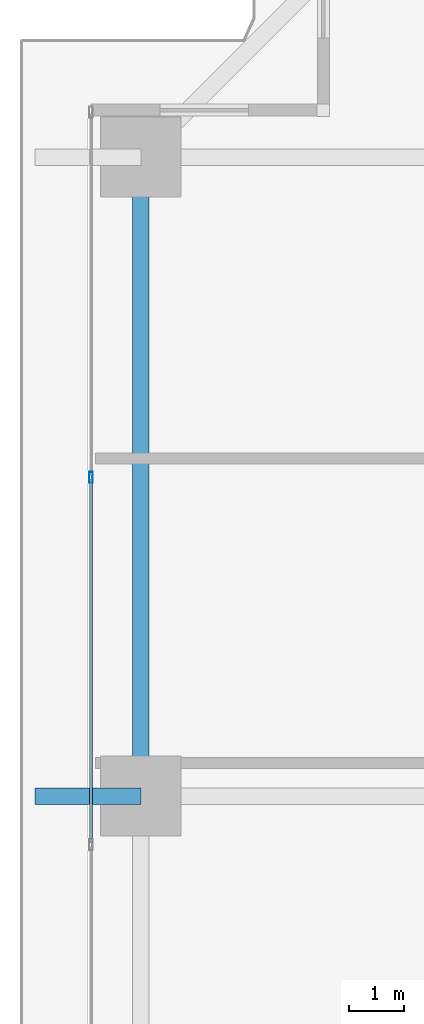
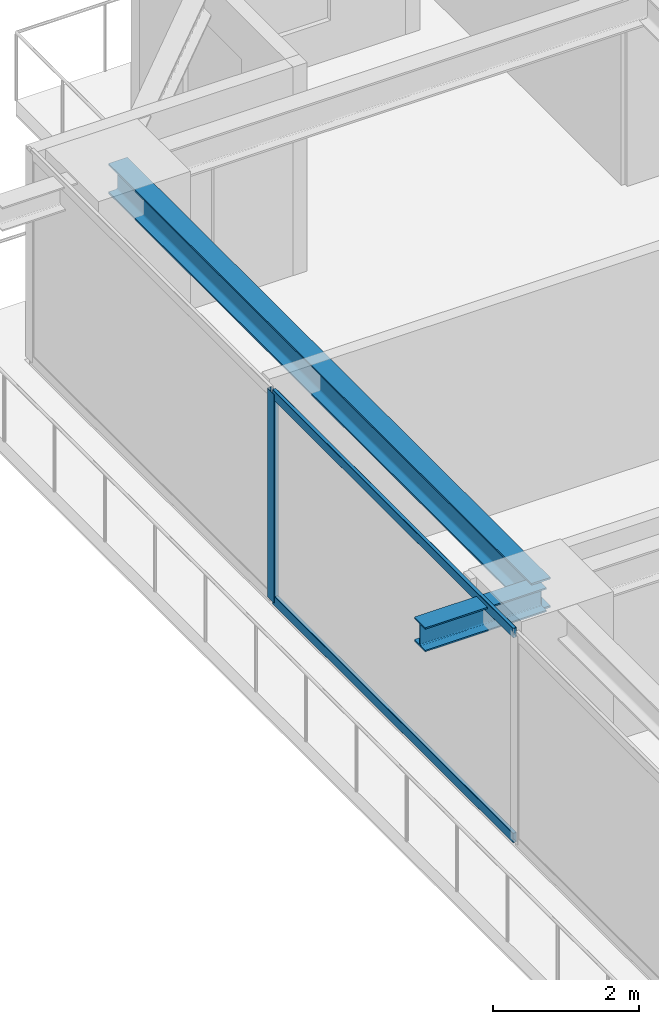
# One storey, part 16 of 39: 3 members, 2 beams, 1 element without a shape of its own.
"""IFC4 building model written with IfcOpenShell, lengths in metres."""

from ifc_helpers import new_model, si_unit, direction, frame, origin, origin_2d, place, context, subcontext, project, spatial, hollow_rectangle, i_section, extrude, source, transform, mapped, material, layer, layer_set, material_profile, profile_set, type_object, element, aggregate, save


model = new_model("IFC4")

# Units and contexts
model_context = context("Model", 3, precision=1e-05, world=origin(), true_north=direction((0.0, 1.0)))
body_context = subcontext(model_context, "Body", "Model", "MODEL_VIEW")
ifc_project = project(units=[si_unit("LENGTHUNIT", "METRE"), si_unit("AREAUNIT", "SQUARE_METRE"), si_unit("VOLUMEUNIT", "CUBIC_METRE"), si_unit("PLANEANGLEUNIT", "RADIAN"), si_unit("MASSUNIT", "GRAM", prefix="KILO")], contexts=[model_context])

# Site, building, storey
site_placement = place(None, origin())
site = spatial("IfcSite", under=ifc_project, at=site_placement, CompositionType="ELEMENT")
building_placement = place(site_placement, origin())
building = spatial("IfcBuilding", under=site, at=building_placement, Name="Serunith Strait Residences", CompositionType="ELEMENT")
storey_placement = place(building_placement, frame((0.0, 0.0, 79.199951171875)))
storey = spatial("IfcBuildingStorey", under=building, at=storey_placement, Name="L19", CompositionType="ELEMENT", Elevation=79.199951171875)

# Beams
ifc_material_1 = material(Name="Steel S355J2", Category="steel")
ifc_material_profile_1 = material_profile(ifc_material_1, i_section(OverallWidth=0.300048828125, OverallDepth=0.5, WebThickness=0.014404296875, FlangeThickness=0.028076171875, FilletRadius=0.027099609375, at=origin_2d()), Name="HEB 500")
ifc_profile_set_1 = profile_set([ifc_material_profile_1], Name="Steel S355J2")
beam_type_1 = type_object("IfcBeamType", Name="BM-HEB500", PredefinedType="BEAM", material=ifc_profile_set_1)
shared_shape_1 = source(origin(), body_context, "Body", "SweptSolid", [
    extrude(i_section(OverallWidth=0.300048828125, OverallDepth=0.5, WebThickness=0.014404296875, FlangeThickness=0.028076171875, FilletRadius=0.027099609375, at=origin_2d()), origin(), (0.0, 0.0, 1.0), 11.550048828125),
])
beam_1_placement = place(storey_placement, frame((6.89990234375, 40.949951171875, 3.237060546875), z_axis=(0.0, -1.0, 0.0), x_axis=(1.0, 0.0, 0.0)))
element("IfcBeam", 1, at=beam_1_placement, inside=storey, type_object=beam_type_1, Name="L19 Perimeter Ring Beam 13", PredefinedType="BEAM", context=body_context, shape_type="MappedRepresentation", body=[
    mapped(shared_shape_1, transform((0.0, 0.0, 0.0), scale=1.0)),
])
ifc_material_profile_2 = material_profile(ifc_material_1, i_section(OverallWidth=0.300048828125, OverallDepth=0.39990234375, WebThickness=0.013427734375, FlangeThickness=0.02392578125, FilletRadius=0.027099609375, at=origin_2d()), Name="HEB 400")
ifc_profile_set_2 = profile_set([ifc_material_profile_2], Name="Steel S355J2")
beam_type_2 = type_object("IfcBeamType", Name="BM-HEB400", PredefinedType="BEAM", material=ifc_profile_set_2)
shared_shape_2 = source(origin(), body_context, "Body", "SweptSolid", [
    extrude(i_section(OverallWidth=0.300048828125, OverallDepth=0.39990234375, WebThickness=0.013427734375, FlangeThickness=0.02392578125, FilletRadius=0.027099609375, at=origin_2d()), origin(), (0.0, 0.0, 1.0), 1.909912109375),
])
beam_2_placement = place(storey_placement, frame((6.89990234375, 29.39990234375, 3.257080078125), z_axis=(-1.0, 0.0, 0.0), x_axis=(0.0, -1.0, 0.0)))
element("IfcBeam", 2, at=beam_2_placement, inside=storey, type_object=beam_type_2, Name="L20 Cantilevered Balcony Rib TC-W3", PredefinedType="BEAM", context=body_context, shape_type="MappedRepresentation", body=[
    mapped(shared_shape_2, transform((0.0, 0.0, 0.0), scale=1.0)),
])

# Curtain wall, members
ifc_material_2 = material(Name="Pale-Champagne Anodised Aluminium", Category="aluminium")
ifc_layer = layer(ifc_material_2, 0.199951171875, Name="Pale-Champagne Anodised Aluminium")
ifc_layer_set = layer_set([ifc_layer], Name="Pale-Champagne Anodised Aluminium")
curtain_wall_type = type_object("IfcCurtainWallType", Name="CW-SYS1", PredefinedType="NOTDEFINED", material=ifc_layer_set)
curtain_wall_placement = place(storey_placement, origin())
curtain_wall = element("IfcCurtainWall", 3, at=curtain_wall_placement, inside=storey, type_object=curtain_wall_type, Name="L19 W Unitised Fritted Curtain Wall", PredefinedType="NOTDEFINED")
ifc_material_profile_3 = material_profile(ifc_material_2, hollow_rectangle(XDim=0.070068359375, YDim=0.199951171875, WallThickness=0.00390625, InnerFilletRadius=0.006103515625, OuterFilletRadius=0.010009765625, at=origin_2d()), Name="ALU 200x70x4")
ifc_profile_set_3 = profile_set([ifc_material_profile_3], Name="Pale-Champagne Anodised Aluminium")
member_type_1 = type_object("IfcMemberType", Name="CW-SYS1-MULL", PredefinedType="MULLION", material=ifc_profile_set_3)
shared_shape_3 = source(origin(), body_context, "Body", "SweptSolid", [
    extrude(hollow_rectangle(XDim=0.070068359375, YDim=0.199951171875, WallThickness=0.00390625, InnerFilletRadius=0.006103515625, OuterFilletRadius=0.010009765625, at=origin_2d()), origin(), (0.0, 0.0, 1.0), 3.47509765625),
])
member_1_placement = place(storey_placement, frame((6.0, 35.159912109375, 0.0), z_axis=(0.0, 0.0, 1.0), x_axis=(1.0, 0.0, 0.0)))
member_1 = element("IfcMember", 4, at=member_1_placement, type_object=member_type_1, Name="CW-1 mullion 2", PredefinedType="MULLION", context=body_context, shape_type="MappedRepresentation", body=[
    mapped(shared_shape_3, transform((0.0, 0.0, 0.0), scale=1.0)),
])
ifc_material_profile_4 = material_profile(ifc_material_2, hollow_rectangle(XDim=0.06005859375, YDim=0.159912109375, WallThickness=0.00341796875, InnerFilletRadius=0.00537109375, OuterFilletRadius=0.0087890625, at=origin_2d()), Name="ALU 160x60x3.5")
ifc_profile_set_4 = profile_set([ifc_material_profile_4], Name="Pale-Champagne Anodised Aluminium")
member_type_2 = type_object("IfcMemberType", Name="CW-SYS1-TRAN", PredefinedType="USERDEFINED", material=ifc_profile_set_4)
shared_shape_4 = source(origin(), body_context, "Body", "SweptSolid", [
    extrude(hollow_rectangle(XDim=0.06005859375, YDim=0.159912109375, WallThickness=0.00341796875, InnerFilletRadius=0.00537109375, OuterFilletRadius=0.0087890625, at=origin_2d()), origin(), (0.0, 0.0, 1.0), 6.570068359375),
])
member_2_placement = place(storey_placement, frame((6.0, 35.125, 0.030029296875), z_axis=(0.0, -1.0, 0.0), x_axis=(1.0, 0.0, 0.0)))
member_2 = element("IfcMember", 5, at=member_2_placement, type_object=member_type_2, Name="CW-1 transom 2.1", ObjectType="TRANSOM", PredefinedType="USERDEFINED", context=body_context, shape_type="MappedRepresentation", body=[
    mapped(shared_shape_4, transform((0.0, 0.0, 0.0), scale=1.0)),
])
member_3_placement = place(storey_placement, frame((6.0, 35.125, 3.445068359375), z_axis=(0.0, -1.0, 0.0), x_axis=(1.0, 0.0, 0.0)))
member_3 = element("IfcMember", 6, at=member_3_placement, type_object=member_type_2, Name="CW-1 transom 2.2", ObjectType="TRANSOM", PredefinedType="USERDEFINED", context=body_context, shape_type="MappedRepresentation", body=[
    mapped(shared_shape_4, transform((0.0, 0.0, 0.0), scale=1.0)),
])
aggregate(curtain_wall, [member_1, member_2, member_3])

save(model, "model.ifc")
